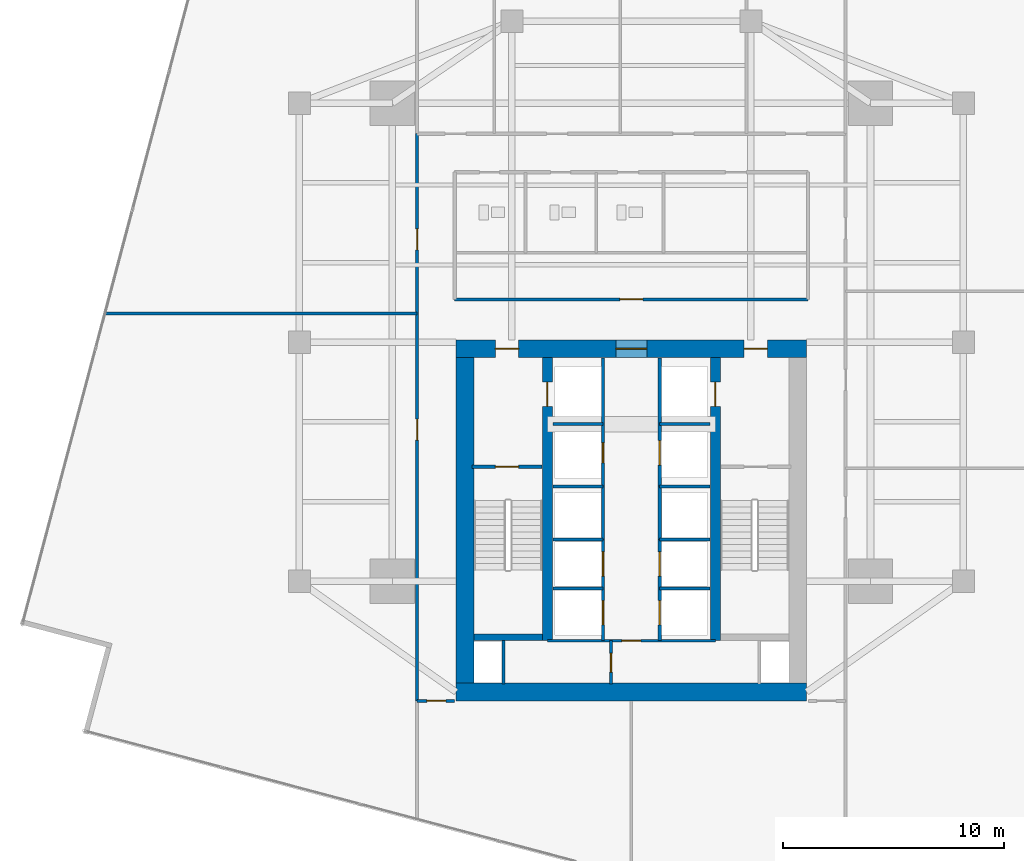
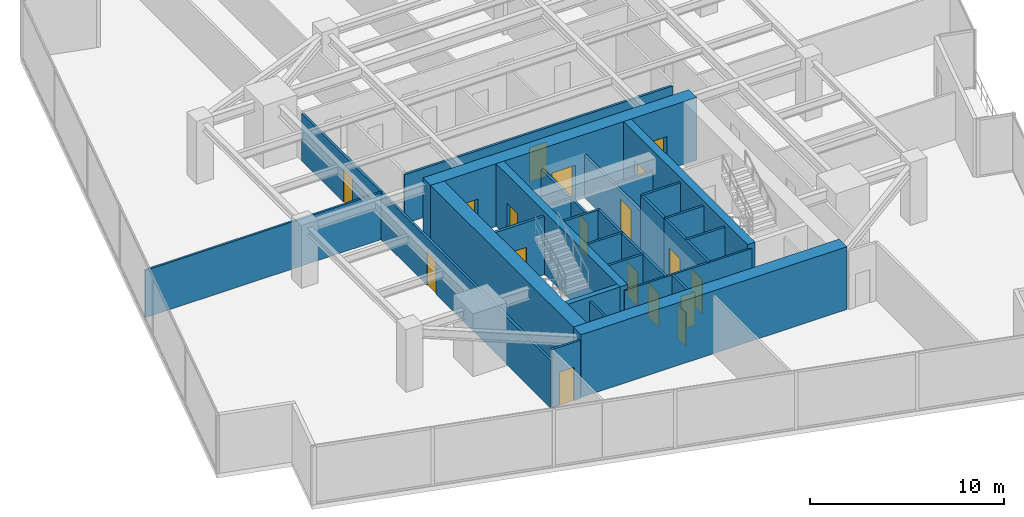
# One storey, part 23 of 27: 28 walls, 18 doors, 18 openings.
"""IFC4 building model written with IfcOpenShell, lengths in metres."""

import ifcopenshell
import ifcopenshell.guid

model = None  # the IFC model being written
_history = None  # IfcOwnerHistory: only IFC2X3 demands one
_inside = {}  # id of a spatial element -> (the spatial element, [elements in it])
_under = {}  # id of a project, library or spatial element -> (it, [spatial elements below it])
_declared = {}  # id of a project -> (the project, [libraries it declares])
_typed = {}  # id of a type object -> (the type object, [elements of that type])
_made_of = {}  # id of a material, layer set ... -> (it, [elements and type objects made of it])


def new_model(schema):
    """Start an empty IFC model of exactly this schema.

    Asked for "IFC4X3", IfcOpenShell would pick the latest addendum, in which some entities
    have other attributes; the version numbers below select the first issue.
    IFC2X3 requires an IfcOwnerHistory on every rooted entity: one is made here for all.
    """
    global model, _history
    if schema == "IFC4X3":
        model = ifcopenshell.file(schema_version=(4, 3, 0, 0))
    else:
        model = ifcopenshell.file(schema=schema)
    _inside.clear()
    _under.clear()
    _declared.clear()
    _typed.clear()
    _made_of.clear()
    _history = None
    if model.schema == "IFC2X3":
        org = make("IfcOrganization", Name="unknown")
        user = make(
            "IfcPersonAndOrganization",
            ThePerson=make("IfcPerson", FamilyName="unknown"),
            TheOrganization=org,
        )
        app = make(
            "IfcApplication",
            ApplicationDeveloper=org,
            Version="unknown",
            ApplicationFullName="unknown",
            ApplicationIdentifier="unknown",
        )
        _history = make(
            "IfcOwnerHistory",
            OwningUser=user,
            OwningApplication=app,
            ChangeAction="ADDED",
            CreationDate=0,
        )
    return model


def make(cls, **values):
    """One entity of the class cls with the attributes given. An attribute that is None is left unset."""
    return model.create_entity(
        cls, **{name: value for name, value in values.items() if value is not None}
    )


def rooted(cls, **values):
    """An entity with a GlobalId (a new one), such as an element, a storey or a relation."""
    return make(cls, GlobalId=ifcopenshell.guid.new(), OwnerHistory=_history, **values)


def si_unit(unit_type, name, prefix=None):
    """IfcSIUnit, for example si_unit("LENGTHUNIT", "METRE", prefix="MILLI")."""
    return make("IfcSIUnit", UnitType=unit_type, Prefix=prefix, Name=name)


def assignment(units):
    """IfcUnitAssignment: the units of a project."""
    return None if units is None else make("IfcUnitAssignment", Units=units)


def point(xyz):
    """IfcCartesianPoint."""
    return None if xyz is None else make("IfcCartesianPoint", Coordinates=xyz)


def direction(xyz):
    """IfcDirection."""
    return None if xyz is None else make("IfcDirection", DirectionRatios=xyz)


def frame(location, z_axis=None, x_axis=None):
    """IfcAxis2Placement3D, a coordinate frame: its origin and axes. An axis left out is left unset."""
    return make(
        "IfcAxis2Placement3D",
        Location=point(location),
        Axis=direction(z_axis),
        RefDirection=direction(x_axis),
    )


def frame_2d(location, x_axis=None):
    """IfcAxis2Placement2D, a coordinate frame in the plane: its origin and x axis."""
    return make(
        "IfcAxis2Placement2D", Location=point(location), RefDirection=direction(x_axis)
    )


def origin():
    """The frame at (0, 0, 0) with its axes left unset."""
    return frame((0.0, 0.0, 0.0))


def place(relative_to, where):
    """IfcLocalPlacement: puts the frame where relative to a parent placement (None: the world)."""
    return make(
        "IfcLocalPlacement", PlacementRelTo=relative_to, RelativePlacement=where
    )


def context(
    kind, dimensions, precision=None, world=None, true_north=None, identifier=None
):
    """IfcGeometricRepresentationContext, for example the 3D "Model" context."""
    return make(
        "IfcGeometricRepresentationContext",
        ContextIdentifier=identifier,
        ContextType=kind,
        CoordinateSpaceDimension=dimensions,
        Precision=precision,
        WorldCoordinateSystem=world,
        TrueNorth=true_north,
    )


def subcontext(parent, identifier, kind, view, scale=None):
    """IfcGeometricRepresentationSubContext, for example "Body" below "Model"."""
    return make(
        "IfcGeometricRepresentationSubContext",
        ContextIdentifier=identifier,
        ContextType=kind,
        ParentContext=parent,
        TargetScale=scale,
        TargetView=view,
    )


def project(units=None, contexts=None):
    """IfcProject with its units and contexts."""
    return rooted(
        "IfcProject",
        Name="project",
        RepresentationContexts=contexts,
        UnitsInContext=assignment(units),
    )


def spatial(cls, under=None, at=None, **own):
    """A site, building, storey or space (cls), placed at a placement, below another one or the project."""
    s = rooted(cls, ObjectPlacement=at, **own)
    if under is not None:
        _under.setdefault(under.id(), (under, []))[1].append(s)
    return s


def profile(cls, at=None, kind="AREA", **sizes):
    """A parametric profile (cls). Its sizes go by their IFC names, for example OverallWidth=200.0."""
    return make(cls, ProfileType=kind, Position=at, **sizes)


def rectangle(**sizes):
    """IfcRectangleProfileDef."""
    return profile("IfcRectangleProfileDef", **sizes)


def extrude(swept, where, along, depth):
    """IfcExtrudedAreaSolid: the profile swept, set in the frame where, extruded along a direction by depth."""
    return make(
        "IfcExtrudedAreaSolid",
        SweptArea=swept,
        Position=where,
        ExtrudedDirection=direction(along),
        Depth=depth,
    )


def shape(context_of_items, identifier, shape_type, items):
    """IfcShapeRepresentation: the items that make up one representation, for example the "Body"."""
    return make(
        "IfcShapeRepresentation",
        ContextOfItems=context_of_items,
        RepresentationIdentifier=identifier,
        RepresentationType=shape_type,
        Items=items,
    )


def material(Name=None, Category=None):
    """IfcMaterial."""
    return make("IfcMaterial", Name=Name, Category=Category)


def layer(
    of_material, thickness, ventilated=None, Name=None, Category=None, Priority=None
):
    """IfcMaterialLayer: one layer of a wall or slab, of a material (None: an air gap)."""
    return make(
        "IfcMaterialLayer",
        Material=of_material,
        LayerThickness=thickness,
        IsVentilated=ventilated,
        Name=Name,
        Category=Category,
        Priority=Priority,
    )


def layer_set(layers, Name=None):
    """IfcMaterialLayerSet."""
    return make("IfcMaterialLayerSet", MaterialLayers=layers, LayerSetName=Name)


def made_of(thing, what):
    """Note that an element or type object is made of a material, layer set ...; save() writes the relation."""
    if what is not None:
        _made_of.setdefault(what.id(), (what, []))[1].append(thing)
    return thing


def type_object(cls, material=None, **own):
    """A type object (cls), such as IfcWallType, which elements share."""
    return made_of(rooted(cls, **own), material)


def element(
    cls,
    number,
    at=None,
    inside=None,
    cuts=None,
    type_object=None,
    material=None,
    context=None,
    identifier="Body",
    shape_type=None,
    held_by="IfcProductDefinitionShape",
    body=None,
    shapes=None,
    **own,
):
    """One element of the class cls, such as IfcWall. Its Tag is "e" and its number.

    at: its placement. inside: the storey or other place that contains it. cuts: it is an
    opening in that element (IfcRelVoidsElement). A single representation is given by context,
    identifier, shape_type and body (its items); several are given by shapes. held_by: the class
    of the entity that holds the representations. save() writes the other relations.
    """
    e = rooted(cls, Tag="e%d" % number, ObjectPlacement=at, **own)
    if body is not None:
        shapes = [shape(context, identifier, shape_type, body)]
    if shapes is not None:
        e.Representation = make(held_by, Representations=shapes)
    if inside is not None:
        _inside.setdefault(inside.id(), (inside, []))[1].append(e)
    if cuts is not None:
        rooted(
            "IfcRelVoidsElement", RelatingBuildingElement=cuts, RelatedOpeningElement=e
        )
    if type_object is not None:
        _typed.setdefault(type_object.id(), (type_object, []))[1].append(e)
    return made_of(e, material)


def fill(opening, filler):
    """IfcRelFillsElement: the door or window that sits in an opening."""
    return rooted(
        "IfcRelFillsElement",
        RelatingOpeningElement=opening,
        RelatedBuildingElement=filler,
    )


def aggregate(whole, parts):
    """IfcRelAggregates: a whole, such as a stair, and the parts it consists of."""
    return rooted("IfcRelAggregates", RelatingObject=whole, RelatedObjects=parts)


def save(model, path):
    """Write the relations noted so far, then the file.

    IfcRelAggregates (storeys below a building ...), IfcRelContainedInSpatialStructure (elements
    in a storey), IfcRelDefinesByType, IfcRelAssociatesMaterial and IfcRelDeclares: one each for
    every whole, place, type object, material and project.
    """
    for whole, parts in _under.values():
        aggregate(whole, parts)
    for where, things in _inside.values():
        rooted(
            "IfcRelContainedInSpatialStructure",
            RelatedElements=things,
            RelatingStructure=where,
        )
    for kind, things in _typed.values():
        rooted("IfcRelDefinesByType", RelatedObjects=things, RelatingType=kind)
    for what, things in _made_of.values():
        rooted("IfcRelAssociatesMaterial", RelatedObjects=things, RelatingMaterial=what)
    for by, libraries in _declared.values():
        rooted("IfcRelDeclares", RelatingContext=by, RelatedDefinitions=libraries)
    model.write(path)


model = new_model("IFC4")

# Units and contexts
model_context = context("Model", 3, precision=1e-05, world=origin(), true_north=direction((0.0, 1.0)))
body_context = subcontext(model_context, "Body", "Model", "MODEL_VIEW")
ifc_project = project(units=[si_unit("LENGTHUNIT", "METRE"), si_unit("AREAUNIT", "SQUARE_METRE"), si_unit("VOLUMEUNIT", "CUBIC_METRE"), si_unit("PLANEANGLEUNIT", "RADIAN"), si_unit("MASSUNIT", "GRAM", prefix="KILO")], contexts=[model_context])

# Site, building, storey
site_placement = place(None, origin())
site = spatial("IfcSite", under=ifc_project, at=site_placement, CompositionType="ELEMENT")
building_placement = place(site_placement, origin())
building = spatial("IfcBuilding", under=site, at=building_placement, Name="Krantzveldt Concourse Tower", CompositionType="ELEMENT")
storey_placement = place(building_placement, frame((0.0, 0.0, 101.89990234375)))
storey = spatial("IfcBuildingStorey", under=building, at=storey_placement, Name="L24", CompositionType="ELEMENT", Elevation=101.89990234375)

# Wall, opening, door
ifc_material_1 = material(Name="Fire-rated gypsum plasterboard on steel stud", Category="steel")
ifc_layer_1 = layer(ifc_material_1, 0.1201171875, Name="Fire-rated gypsum plasterboard on steel stud", Category="steel")
ifc_layer_set_1 = layer_set([ifc_layer_1], Name="Fire-rated gypsum plasterboard on steel stud (WL-PART-120)")
wall_type_1 = type_object("IfcWallType", Name="WL-PART-120", PredefinedType="PARTITIONING", material=ifc_layer_set_1)
wall_1_placement = place(storey_placement, frame((32.2099609375, 13.219970703125, 0.0), z_axis=(0.0, 0.0, 1.0), x_axis=(1.0, 0.0, 0.0)))
wall_1 = element("IfcWall", 1, at=wall_1_placement, inside=storey, type_object=wall_type_1, Name="WP-L24-CS2H", PredefinedType="PARTITIONING", context=body_context, shape_type="SweptSolid", body=[
    extrude(rectangle(XDim=7.580078125, YDim=0.1201171875, at=frame_2d((3.7900390625, 0.0))), origin(), (0.0, 0.0, 1.0), 3.670166015625),
])
opening_1_placement = place(wall_1_placement, frame((3.364990234375, 0.0, 0.0)))
opening_1 = element("IfcOpeningElement", 2, at=opening_1_placement, cuts=wall_1, Name="Opening D-IN085", PredefinedType="OPENING", context=body_context, shape_type="SweptSolid", body=[
    extrude(rectangle(XDim=0.85009765625, YDim=2.10009765625, at=frame_2d((0.425048828125, 1.050048828125))), frame((0.0, 0.070068359375, 0.0), z_axis=(0.0, -1.0, 0.0), x_axis=(1.0, 0.0, 0.0)), (0.0, 0.0, 1.0), 0.14013671875),
])
ifc_material_2 = material(Name="Hardwood timber", Category="wood")
door_type_1 = type_object("IfcDoorType", Name="DR-INT-850", OperationType="SINGLE_SWING_LEFT", PredefinedType="DOOR", material=ifc_material_2)
door_1_placement = place(opening_1_placement, origin())
door_1 = element("IfcDoor", 3, at=door_1_placement, inside=storey, type_object=door_type_1, Name="DR-L24-LLBS", OperationType="SINGLE_SWING_RIGHT", OverallHeight=2.10009765625, OverallWidth=0.85009765625, PredefinedType="DOOR", context=body_context, shape_type="SweptSolid", body=[
    extrude(rectangle(XDim=0.85009765625, YDim=2.10009765625, at=frame_2d((0.425048828125, 1.050048828125))), frame((0.0, 0.02490234375, 0.0), z_axis=(0.0, -1.0, 0.0), x_axis=(1.0, 0.0, 0.0)), (0.0, 0.0, 1.0), 0.050048828125),
])
fill(opening_1, door_1)

wall_2_placement = place(storey_placement, frame((35.080078125, 11.25, 0.0), z_axis=(0.0, 0.0, 1.0), x_axis=(0.0, 1.0, 0.0)))
wall_2 = element("IfcWall", 4, at=wall_2_placement, inside=storey, type_object=wall_type_1, Name="WP-L24-CSA-V", PredefinedType="PARTITIONING", context=body_context, shape_type="SweptSolid", body=[
    extrude(rectangle(XDim=1.969970703125, YDim=0.1201171875, at=frame_2d((0.98486328125, 0.0))), origin(), (0.0, 0.0, 1.0), 3.670166015625),
])
opening_2_placement = place(wall_2_placement, frame((0.544921875, 0.0, 0.0)))
opening_2 = element("IfcOpeningElement", 5, at=opening_2_placement, cuts=wall_2, Name="Opening D-IN085", PredefinedType="OPENING", context=body_context, shape_type="SweptSolid", body=[
    extrude(rectangle(XDim=0.85009765625, YDim=2.10009765625, at=frame_2d((0.425048828125, 1.050048828125))), frame((0.0, 0.070068359375, 0.0), z_axis=(0.0, -1.0, 0.0), x_axis=(1.0, 0.0, 0.0)), (0.0, 0.0, 1.0), 0.14013671875),
])
door_2_placement = place(opening_2_placement, origin())
door_2 = element("IfcDoor", 6, at=door_2_placement, inside=storey, type_object=door_type_1, Name="DR-L24-CSA1", OperationType="SINGLE_SWING_LEFT", OverallHeight=2.10009765625, OverallWidth=0.85009765625, PredefinedType="DOOR", context=body_context, shape_type="SweptSolid", body=[
    extrude(rectangle(XDim=0.85009765625, YDim=2.10009765625, at=frame_2d((0.425048828125, 1.050048828125))), frame((0.0, 0.02490234375, 0.0), z_axis=(0.0, -1.0, 0.0), x_axis=(1.0, 0.0, 0.0)), (0.0, 0.0, 1.0), 0.050048828125),
])
fill(opening_2, door_2)

# Wall
wall_3_placement = place(storey_placement, frame((12.22705078125, 28.0, 0.0), z_axis=(0.0, 0.0, 1.0), x_axis=(1.0, 0.0, 0.0)))
element("IfcWall", 7, at=wall_3_placement, inside=storey, type_object=wall_type_1, Name="WP-L24-WD1", PredefinedType="PARTITIONING", context=body_context, shape_type="SweptSolid", body=[
    extrude(rectangle(XDim=14.093017578125, YDim=0.1201171875, at=frame_2d((7.04638671875, 0.0))), origin(), (0.0, 0.0, 1.0), 2.97021484375),
])

# Wall, opening, door
ifc_layer_2 = layer(ifc_material_1, 0.139892578125, Name="Fire-rated gypsum plasterboard on steel stud", Category="steel")
ifc_layer_set_2 = layer_set([ifc_layer_2], Name="Fire-rated gypsum plasterboard on steel stud (WL-PART-140)")
wall_type_2 = type_object("IfcWallType", Name="WL-PART-140", PredefinedType="PARTITIONING", material=ifc_layer_set_2)
wall_4_placement = place(storey_placement, frame((28.02001953125, 28.639892578125, 0.0), z_axis=(0.0, 0.0, 1.0), x_axis=(1.0, 0.0, 0.0)))
wall_4 = element("IfcWall", 8, at=wall_4_placement, inside=storey, type_object=wall_type_2, Name="WP-L24-ISLS", PredefinedType="PARTITIONING", context=body_context, shape_type="SweptSolid", body=[
    extrude(rectangle(XDim=15.9599609375, YDim=0.139892578125, at=frame_2d((7.97998046875, 0.0))), origin(), (0.0, 0.0, 1.0), 3.080078125),
])
opening_3_placement = place(wall_4_placement, frame((7.455078125, 0.0, 0.0)))
opening_3 = element("IfcOpeningElement", 9, at=opening_3_placement, cuts=wall_4, Name="Opening D-IN105", PredefinedType="OPENING", context=body_context, shape_type="SweptSolid", body=[
    extrude(rectangle(XDim=1.050048828125, YDim=2.14990234375, at=frame_2d((0.52490234375, 1.074951171875))), frame((0.0, 0.080078125, 0.0), z_axis=(0.0, -1.0, 0.0), x_axis=(1.0, 0.0, 0.0)), (0.0, 0.0, 1.0), 0.159912109375),
])
door_type_2 = type_object("IfcDoorType", Name="DR-INT-1050", OperationType="SINGLE_SWING_LEFT", PredefinedType="DOOR", material=ifc_material_2)
door_3_placement = place(opening_3_placement, origin())
door_3 = element("IfcDoor", 10, at=door_3_placement, inside=storey, type_object=door_type_2, Name="DR-L24-MIDB", OperationType="SINGLE_SWING_LEFT", OverallHeight=2.14990234375, OverallWidth=1.050048828125, PredefinedType="DOOR", context=body_context, shape_type="SweptSolid", body=[
    extrude(rectangle(XDim=1.050048828125, YDim=2.14990234375, at=frame_2d((0.52490234375, 1.074951171875))), frame((0.0, 0.02490234375, 0.0), z_axis=(0.0, -1.0, 0.0), x_axis=(1.0, 0.0, 0.0)), (0.0, 0.0, 1.0), 0.050048828125),
])
fill(opening_3, door_3)

# Wall, openings, doors
wall_5_placement = place(storey_placement, frame((26.320068359375, 10.5, 0.0), z_axis=(0.0, 0.0, 1.0), x_axis=(0.0, 1.0, 0.0)))
wall_5 = element("IfcWall", 11, at=wall_5_placement, inside=storey, type_object=wall_type_2, Name="WP-L24-CWEST", PredefinedType="PARTITIONING", context=body_context, shape_type="SweptSolid", body=[
    extrude(rectangle(XDim=25.6201171875, YDim=0.139892578125, at=frame_2d((12.81005859375, 0.0))), origin(), (0.0, 0.0, 1.0), 2.97021484375),
])
opening_4_placement = place(wall_5_placement, frame((11.77490234375, 0.0, 0.0)))
opening_4 = element("IfcOpeningElement", 12, at=opening_4_placement, cuts=wall_5, Name="Opening D-IN095", PredefinedType="OPENING", context=body_context, shape_type="SweptSolid", body=[
    extrude(rectangle(XDim=0.949951171875, YDim=2.10009765625, at=frame_2d((0.47509765625, 1.050048828125))), frame((0.0, 0.080078125, 0.0), z_axis=(0.0, -1.0, 0.0), x_axis=(1.0, 0.0, 0.0)), (0.0, 0.0, 1.0), 0.159912109375),
])
opening_5_placement = place(wall_5_placement, frame((20.375, 0.0, 0.0)))
opening_5 = element("IfcOpeningElement", 13, at=opening_5_placement, cuts=wall_5, Name="Opening D-IN095", PredefinedType="OPENING", context=body_context, shape_type="SweptSolid", body=[
    extrude(rectangle(XDim=0.949951171875, YDim=2.10009765625, at=frame_2d((0.47509765625, 1.050048828125))), frame((0.0, 0.080078125, 0.0), z_axis=(0.0, -1.0, 0.0), x_axis=(1.0, 0.0, 0.0)), (0.0, 0.0, 1.0), 0.159912109375),
])
door_type_3 = type_object("IfcDoorType", Name="DR-INT-950", OperationType="SINGLE_SWING_LEFT", PredefinedType="DOOR", material=ifc_material_2)
door_4_placement = place(opening_4_placement, origin())
door_4 = element("IfcDoor", 14, at=door_4_placement, inside=storey, type_object=door_type_3, Name="DR-L24-WR1", OperationType="SINGLE_SWING_LEFT", OverallHeight=2.10009765625, OverallWidth=0.949951171875, PredefinedType="DOOR", context=body_context, shape_type="SweptSolid", body=[
    extrude(rectangle(XDim=0.949951171875, YDim=2.10009765625, at=frame_2d((0.47509765625, 1.050048828125))), frame((0.0, 0.02490234375, 0.0), z_axis=(0.0, -1.0, 0.0), x_axis=(1.0, 0.0, 0.0)), (0.0, 0.0, 1.0), 0.050048828125),
])
fill(opening_4, door_4)
door_5_placement = place(opening_5_placement, origin())
door_5 = element("IfcDoor", 15, at=door_5_placement, inside=storey, type_object=door_type_3, Name="DR-L24-WR2", OperationType="SINGLE_SWING_LEFT", OverallHeight=2.10009765625, OverallWidth=0.949951171875, PredefinedType="DOOR", context=body_context, shape_type="SweptSolid", body=[
    extrude(rectangle(XDim=0.949951171875, YDim=2.10009765625, at=frame_2d((0.47509765625, 1.050048828125))), frame((0.0, 0.02490234375, 0.0), z_axis=(0.0, -1.0, 0.0), x_axis=(1.0, 0.0, 0.0)), (0.0, 0.0, 1.0), 0.050048828125),
])
fill(opening_5, door_5)

# Wall, opening, door
wall_6_placement = place(storey_placement, frame((26.320068359375, 10.5, 0.0), z_axis=(0.0, 0.0, 1.0), x_axis=(1.0, 0.0, 0.0)))
wall_6 = element("IfcWall", 16, at=wall_6_placement, inside=storey, type_object=wall_type_2, Name="WP-L24-CWBOT", PredefinedType="PARTITIONING", context=body_context, shape_type="SweptSolid", body=[
    extrude(rectangle(XDim=1.679931640625, YDim=0.139892578125, at=frame_2d((0.83984375, 0.0))), origin(), (0.0, 0.0, 1.0), 3.670166015625),
])
opening_6_placement = place(wall_6_placement, frame((0.445068359375, 0.0, 0.0)))
opening_6 = element("IfcOpeningElement", 17, at=opening_6_placement, cuts=wall_6, Name="Opening D-IN085", PredefinedType="OPENING", context=body_context, shape_type="SweptSolid", body=[
    extrude(rectangle(XDim=0.85009765625, YDim=2.10009765625, at=frame_2d((0.425048828125, 1.050048828125))), frame((0.0, 0.080078125, 0.0), z_axis=(0.0, -1.0, 0.0), x_axis=(1.0, 0.0, 0.0)), (0.0, 0.0, 1.0), 0.159912109375),
])
door_6_placement = place(opening_6_placement, origin())
door_6 = element("IfcDoor", 18, at=door_6_placement, inside=storey, type_object=door_type_1, Name="DR-L24-SR1", OperationType="SINGLE_SWING_LEFT", OverallHeight=2.10009765625, OverallWidth=0.85009765625, PredefinedType="DOOR", context=body_context, shape_type="SweptSolid", body=[
    extrude(rectangle(XDim=0.85009765625, YDim=2.10009765625, at=frame_2d((0.425048828125, 1.050048828125))), frame((0.0, 0.02490234375, 0.0), z_axis=(0.0, -1.0, 0.0), x_axis=(1.0, 0.0, 0.0)), (0.0, 0.0, 1.0), 0.050048828125),
])
fill(opening_6, door_6)

ifc_layer_3 = layer(ifc_material_1, 0.139892578125, Name="Fire-rated gypsum plasterboard on steel stud", Category="steel")
ifc_layer_set_3 = layer_set([ifc_layer_3], Name="Fire-rated gypsum plasterboard on steel stud (WL-PART-FR140)")
wall_type_3 = type_object("IfcWallType", Name="WL-PART-FR140", PredefinedType="PARTITIONING", material=ifc_layer_set_3)
wall_7_placement = place(storey_placement, frame((34.719970703125, 20.199951171875, 0.0), z_axis=(0.0, 0.0, 1.0), x_axis=(0.0, 1.0, 0.0)))
wall_7 = element("IfcWall", 19, at=wall_7_placement, inside=storey, type_object=wall_type_3, Name="WP-L24-SHNW", PredefinedType="PARTITIONING", context=body_context, shape_type="SweptSolid", body=[
    extrude(rectangle(XDim=5.780029296875, YDim=0.139892578125, at=frame_2d((2.89013671875, 0.0))), origin(), (0.0, 0.0, 1.0), 2.670166015625),
])
opening_7_placement = place(wall_7_placement, frame((1.050048828125, 0.0, 0.0)))
opening_7 = element("IfcOpeningElement", 20, at=opening_7_placement, cuts=wall_7, Name="Opening D-FD090", PredefinedType="OPENING", context=body_context, shape_type="SweptSolid", body=[
    extrude(rectangle(XDim=0.89990234375, YDim=2.10009765625, at=frame_2d((0.449951171875, 1.050048828125))), frame((0.0, 0.080078125, 0.0), z_axis=(0.0, -1.0, 0.0), x_axis=(1.0, 0.0, 0.0)), (0.0, 0.0, 1.0), 0.159912109375),
])
door_type_4 = type_object("IfcDoorType", Name="DR-FD60-900", OperationType="SINGLE_SWING_LEFT", PredefinedType="DOOR", material=ifc_material_2)
door_7_placement = place(opening_7_placement, origin())
door_7 = element("IfcDoor", 21, at=door_7_placement, inside=storey, type_object=door_type_4, Name="Electrical Riser Access Door L24", OperationType="SINGLE_SWING_LEFT", OverallHeight=2.10009765625, OverallWidth=0.89990234375, PredefinedType="DOOR", context=body_context, shape_type="SweptSolid", body=[
    extrude(rectangle(XDim=0.89990234375, YDim=2.10009765625, at=frame_2d((0.449951171875, 1.050048828125))), frame((0.0, 0.02490234375, 0.0), z_axis=(0.0, -1.0, 0.0), x_axis=(1.0, 0.0, 0.0)), (0.0, 0.0, 1.0), 0.050048828125),
])
fill(opening_7, door_7)

wall_8_placement = place(storey_placement, frame((37.280029296875, 20.199951171875, 0.0), z_axis=(0.0, 0.0, 1.0), x_axis=(0.0, 1.0, 0.0)))
wall_8 = element("IfcWall", 22, at=wall_8_placement, inside=storey, type_object=wall_type_3, Name="WP-L24-SHNE", PredefinedType="PARTITIONING", context=body_context, shape_type="SweptSolid", body=[
    extrude(rectangle(XDim=5.780029296875, YDim=0.139892578125, at=frame_2d((2.89013671875, 0.0))), origin(), (0.0, 0.0, 1.0), 2.670166015625),
])
opening_8_placement = place(wall_8_placement, frame((0.949951171875, 0.0, 0.0)))
opening_8 = element("IfcOpeningElement", 23, at=opening_8_placement, cuts=wall_8, Name="Opening LD", PredefinedType="OPENING", context=body_context, shape_type="SweptSolid", body=[
    extrude(rectangle(XDim=1.10009765625, YDim=2.14990234375, at=frame_2d((0.550048828125, 1.074951171875))), frame((0.0, 0.080078125, 0.0), z_axis=(0.0, -1.0, 0.0), x_axis=(1.0, 0.0, 0.0)), (0.0, 0.0, 1.0), 0.159912109375),
])
ifc_material_3 = material(Name="Stainless steel 316L", Category="steel")
door_type_5 = type_object("IfcDoorType", Name="DR-SLIDE-LD1100", OperationType="DOUBLE_DOOR_SLIDING", PredefinedType="DOOR", material=ifc_material_3)
door_8_placement = place(opening_8_placement, origin())
door_8 = element("IfcDoor", 24, at=door_8_placement, inside=storey, type_object=door_type_5, Name="LD-L24-GL1", OperationType="DOUBLE_DOOR_SLIDING", OverallHeight=2.14990234375, OverallWidth=1.10009765625, PredefinedType="DOOR", context=body_context, shape_type="SweptSolid", body=[
    extrude(rectangle(XDim=1.10009765625, YDim=2.14990234375, at=frame_2d((0.550048828125, 1.074951171875))), frame((0.0, 0.02490234375, 0.0), z_axis=(0.0, -1.0, 0.0), x_axis=(1.0, 0.0, 0.0)), (0.0, 0.0, 1.0), 0.050048828125),
])
fill(opening_8, door_8)

# Walls
for number, where, z_axis, x_axis, name in (
    (25, (32.449951171875, 23.0, 0.0), (0.0, 0.0, 1.0), (1.0, 0.0, 0.0), "WP-L24-RISH"),
    (26, (37.280029296875, 23.0, 0.0), (0.0, 0.0, 1.0), (1.0, 0.0, 0.0), "WP-L24-GLH"),
):
    element("IfcWall", number, at=place(storey_placement, frame(where, z_axis=z_axis, x_axis=x_axis)), inside=storey, type_object=wall_type_3, Name=name, PredefinedType="PARTITIONING", context=body_context, shape_type="SweptSolid", body=[
        extrude(rectangle(XDim=2.27001953125, YDim=0.139892578125, at=frame_2d((1.135009765625, 0.0))), origin(), (0.0, 0.0, 1.0), 2.670166015625),
    ])
for number, where, z_axis, x_axis, name in (
    (27, (34.719970703125, 17.780029296875, 0.0), (0.0, 0.0, 1.0), (0.0, 1.0, 0.0), "WP-L24-SHNW2"),
    (28, (37.280029296875, 17.780029296875, 0.0), (0.0, 0.0, 1.0), (0.0, 1.0, 0.0), "WP-L24-SHNE2"),
):
    element("IfcWall", number, at=place(storey_placement, frame(where, z_axis=z_axis, x_axis=x_axis)), inside=storey, type_object=wall_type_3, Name=name, PredefinedType="PARTITIONING", context=body_context, shape_type="SweptSolid", body=[
        extrude(rectangle(XDim=2.419921875, YDim=0.139892578125, at=frame_2d((1.2099609375, 0.0))), origin(), (0.0, 0.0, 1.0), 3.670166015625),
    ])
for number, where, z_axis, x_axis, name in (
    (29, (32.449951171875, 17.780029296875, 0.0), (0.0, 0.0, 1.0), (1.0, 0.0, 0.0), "WP-L24-DIVW2"),
    (30, (32.449951171875, 20.179931640625, 0.0), (0.0, 0.0, 1.0), (1.0, 0.0, 0.0), "WP-L24-DIVW3"),
    (31, (37.280029296875, 17.780029296875, 0.0), (0.0, 0.0, 1.0), (1.0, 0.0, 0.0), "WP-L24-DIVE2"),
    (32, (37.280029296875, 20.179931640625, 0.0), (0.0, 0.0, 1.0), (1.0, 0.0, 0.0), "WP-L24-DIVE3"),
):
    element("IfcWall", number, at=place(storey_placement, frame(where, z_axis=z_axis, x_axis=x_axis)), inside=storey, type_object=wall_type_3, Name=name, PredefinedType="PARTITIONING", context=body_context, shape_type="SweptSolid", body=[
        extrude(rectangle(XDim=2.27001953125, YDim=0.139892578125, at=frame_2d((1.135009765625, 0.0))), origin(), (0.0, 0.0, 1.0), 3.670166015625),
    ])

# Wall, openings, doors
wall_9_placement = place(storey_placement, frame((34.719970703125, 13.219970703125, 0.0), z_axis=(0.0, 0.0, 1.0), x_axis=(0.0, 1.0, 0.0)))
wall_9 = element("IfcWall", 33, at=wall_9_placement, inside=storey, type_object=wall_type_3, Name="WP-L24-SHSW", PredefinedType="PARTITIONING", context=body_context, shape_type="SweptSolid", body=[
    extrude(rectangle(XDim=4.56005859375, YDim=0.139892578125, at=frame_2d((2.280029296875, 0.0))), origin(), (0.0, 0.0, 1.0), 3.670166015625),
])
opening_9_placement = place(wall_9_placement, frame((0.7099609375, 0.0, 0.0)))
opening_9 = element("IfcOpeningElement", 34, at=opening_9_placement, cuts=wall_9, Name="Opening LD", PredefinedType="OPENING", context=body_context, shape_type="SweptSolid", body=[
    extrude(rectangle(XDim=1.10009765625, YDim=2.14990234375, at=frame_2d((0.550048828125, 1.074951171875))), frame((0.0, 0.080078125, 0.0), z_axis=(0.0, -1.0, 0.0), x_axis=(1.0, 0.0, 0.0)), (0.0, 0.0, 1.0), 0.159912109375),
])
opening_10_placement = place(wall_9_placement, frame((2.909912109375, 0.0, 0.0)))
opening_10 = element("IfcOpeningElement", 35, at=opening_10_placement, cuts=wall_9, Name="Opening LD", PredefinedType="OPENING", context=body_context, shape_type="SweptSolid", body=[
    extrude(rectangle(XDim=1.10009765625, YDim=2.14990234375, at=frame_2d((0.550048828125, 1.074951171875))), frame((0.0, 0.080078125, 0.0), z_axis=(0.0, -1.0, 0.0), x_axis=(1.0, 0.0, 0.0)), (0.0, 0.0, 1.0), 0.159912109375),
])
door_9_placement = place(opening_9_placement, origin())
door_9 = element("IfcDoor", 36, at=door_9_placement, inside=storey, type_object=door_type_5, Name="LD-L24-PL1", OperationType="DOUBLE_DOOR_SLIDING", OverallHeight=2.14990234375, OverallWidth=1.10009765625, PredefinedType="DOOR", context=body_context, shape_type="SweptSolid", body=[
    extrude(rectangle(XDim=1.10009765625, YDim=2.14990234375, at=frame_2d((0.550048828125, 1.074951171875))), frame((0.0, 0.02490234375, 0.0), z_axis=(0.0, -1.0, 0.0), x_axis=(1.0, 0.0, 0.0)), (0.0, 0.0, 1.0), 0.050048828125),
])
fill(opening_9, door_9)
door_10_placement = place(opening_10_placement, origin())
door_10 = element("IfcDoor", 37, at=door_10_placement, inside=storey, type_object=door_type_5, Name="LD-L24-PL2", OperationType="DOUBLE_DOOR_SLIDING", OverallHeight=2.14990234375, OverallWidth=1.10009765625, PredefinedType="DOOR", context=body_context, shape_type="SweptSolid", body=[
    extrude(rectangle(XDim=1.10009765625, YDim=2.14990234375, at=frame_2d((0.550048828125, 1.074951171875))), frame((0.0, 0.02490234375, 0.0), z_axis=(0.0, -1.0, 0.0), x_axis=(1.0, 0.0, 0.0)), (0.0, 0.0, 1.0), 0.050048828125),
])
fill(opening_10, door_10)

# Wall
wall_10_placement = place(storey_placement, frame((32.449951171875, 15.580078125, 0.0), z_axis=(0.0, 0.0, 1.0), x_axis=(1.0, 0.0, 0.0)))
element("IfcWall", 38, at=wall_10_placement, inside=storey, type_object=wall_type_3, Name="WP-L24-DIVW1", PredefinedType="PARTITIONING", context=body_context, shape_type="SweptSolid", body=[
    extrude(rectangle(XDim=2.27001953125, YDim=0.139892578125, at=frame_2d((1.135009765625, 0.0))), origin(), (0.0, 0.0, 1.0), 3.670166015625),
])

# Wall, openings, doors
wall_11_placement = place(storey_placement, frame((37.280029296875, 13.219970703125, 0.0), z_axis=(0.0, 0.0, 1.0), x_axis=(0.0, 1.0, 0.0)))
wall_11 = element("IfcWall", 39, at=wall_11_placement, inside=storey, type_object=wall_type_3, Name="WP-L24-SHSE", PredefinedType="PARTITIONING", context=body_context, shape_type="SweptSolid", body=[
    extrude(rectangle(XDim=4.56005859375, YDim=0.139892578125, at=frame_2d((2.280029296875, 0.0))), origin(), (0.0, 0.0, 1.0), 3.670166015625),
])
opening_11_placement = place(wall_11_placement, frame((0.7099609375, 0.0, 0.0)))
opening_11 = element("IfcOpeningElement", 40, at=opening_11_placement, cuts=wall_11, Name="Opening LD", PredefinedType="OPENING", context=body_context, shape_type="SweptSolid", body=[
    extrude(rectangle(XDim=1.10009765625, YDim=2.14990234375, at=frame_2d((0.550048828125, 1.074951171875))), frame((0.0, 0.080078125, 0.0), z_axis=(0.0, -1.0, 0.0), x_axis=(1.0, 0.0, 0.0)), (0.0, 0.0, 1.0), 0.159912109375),
])
opening_12_placement = place(wall_11_placement, frame((2.909912109375, 0.0, 0.0)))
opening_12 = element("IfcOpeningElement", 41, at=opening_12_placement, cuts=wall_11, Name="Opening LD", PredefinedType="OPENING", context=body_context, shape_type="SweptSolid", body=[
    extrude(rectangle(XDim=1.10009765625, YDim=2.14990234375, at=frame_2d((0.550048828125, 1.074951171875))), frame((0.0, 0.080078125, 0.0), z_axis=(0.0, -1.0, 0.0), x_axis=(1.0, 0.0, 0.0)), (0.0, 0.0, 1.0), 0.159912109375),
])
door_11_placement = place(opening_11_placement, origin())
door_11 = element("IfcDoor", 42, at=door_11_placement, inside=storey, type_object=door_type_5, Name="LD-L24-PM1", OperationType="DOUBLE_DOOR_SLIDING", OverallHeight=2.14990234375, OverallWidth=1.10009765625, PredefinedType="DOOR", context=body_context, shape_type="SweptSolid", body=[
    extrude(rectangle(XDim=1.10009765625, YDim=2.14990234375, at=frame_2d((0.550048828125, 1.074951171875))), frame((0.0, 0.02490234375, 0.0), z_axis=(0.0, -1.0, 0.0), x_axis=(1.0, 0.0, 0.0)), (0.0, 0.0, 1.0), 0.050048828125),
])
fill(opening_11, door_11)
door_12_placement = place(opening_12_placement, origin())
door_12 = element("IfcDoor", 43, at=door_12_placement, inside=storey, type_object=door_type_5, Name="LD-L24-PM2", OperationType="DOUBLE_DOOR_SLIDING", OverallHeight=2.14990234375, OverallWidth=1.10009765625, PredefinedType="DOOR", context=body_context, shape_type="SweptSolid", body=[
    extrude(rectangle(XDim=1.10009765625, YDim=2.14990234375, at=frame_2d((0.550048828125, 1.074951171875))), frame((0.0, 0.02490234375, 0.0), z_axis=(0.0, -1.0, 0.0), x_axis=(1.0, 0.0, 0.0)), (0.0, 0.0, 1.0), 0.050048828125),
])
fill(opening_12, door_12)

# Walls
wall_12_placement = place(storey_placement, frame((37.280029296875, 15.580078125, 0.0), z_axis=(0.0, 0.0, 1.0), x_axis=(1.0, 0.0, 0.0)))
element("IfcWall", 44, at=wall_12_placement, inside=storey, type_object=wall_type_3, Name="WP-L24-DIVE1", PredefinedType="PARTITIONING", context=body_context, shape_type="SweptSolid", body=[
    extrude(rectangle(XDim=2.27001953125, YDim=0.139892578125, at=frame_2d((1.135009765625, 0.0))), origin(), (0.0, 0.0, 1.0), 3.670166015625),
])
wall_13_placement = place(storey_placement, frame((30.219970703125, 11.25, 0.0), z_axis=(0.0, 0.0, 1.0), x_axis=(0.0, 1.0, 0.0)))
element("IfcWall", 45, at=wall_13_placement, inside=storey, type_object=wall_type_3, Name="WP-L24-RSW", PredefinedType="PARTITIONING", context=body_context, shape_type="SweptSolid", body=[
    extrude(rectangle(XDim=1.969970703125, YDim=0.1201171875, at=frame_2d((0.98486328125, 0.0))), origin(), (0.0, 0.0, 1.0), 3.670166015625),
])

# Wall, opening, door
ifc_layer_4 = layer(ifc_material_1, 0.159912109375, Name="Fire-rated gypsum plasterboard on steel stud", Category="steel")
ifc_layer_set_4 = layer_set([ifc_layer_4], Name="Fire-rated gypsum plasterboard on steel stud (WL-PART-FR160)")
wall_type_4 = type_object("IfcWallType", Name="WL-PART-FR160", PredefinedType="PARTITIONING", material=ifc_layer_set_4)
wall_14_placement = place(storey_placement, frame((28.800048828125, 21.080078125, 0.0), z_axis=(0.0, 0.0, 1.0), x_axis=(1.0, 0.0, 0.0)))
wall_14 = element("IfcWall", 46, at=wall_14_placement, inside=storey, type_object=wall_type_4, Name="WP-L24-ST1", PredefinedType="PARTITIONING", context=body_context, shape_type="SweptSolid", body=[
    extrude(rectangle(XDim=3.159912109375, YDim=0.159912109375, at=frame_2d((1.580078125, 0.0))), origin(), (0.0, 0.0, 1.0), 3.670166015625),
])
opening_13_placement = place(wall_14_placement, frame((1.054931640625, 0.0, 0.0)))
opening_13 = element("IfcOpeningElement", 47, at=opening_13_placement, cuts=wall_14, Name="Opening D-FD105", PredefinedType="OPENING", context=body_context, shape_type="SweptSolid", body=[
    extrude(rectangle(XDim=1.050048828125, YDim=2.10009765625, at=frame_2d((0.52490234375, 1.050048828125))), frame((0.0, 0.08984375, 0.0), z_axis=(0.0, -1.0, 0.0), x_axis=(1.0, 0.0, 0.0)), (0.0, 0.0, 1.0), 0.179931640625),
])
ifc_material_4 = material(Name="Galvanised steel", Category="steel")
door_type_6 = type_object("IfcDoorType", Name="DR-FD120-1050", OperationType="SINGLE_SWING_LEFT", PredefinedType="DOOR", material=ifc_material_4)
door_13_placement = place(opening_13_placement, origin())
door_13 = element("IfcDoor", 48, at=door_13_placement, inside=storey, type_object=door_type_6, Name="DR-L24-ST1", OperationType="SINGLE_SWING_RIGHT", OverallHeight=2.10009765625, OverallWidth=1.050048828125, PredefinedType="DOOR", context=body_context, shape_type="SweptSolid", body=[
    extrude(rectangle(XDim=1.050048828125, YDim=2.10009765625, at=frame_2d((0.52490234375, 1.050048828125))), frame((0.0, 0.02490234375, 0.0), z_axis=(0.0, -1.0, 0.0), x_axis=(1.0, 0.0, 0.0)), (0.0, 0.0, 1.0), 0.050048828125),
])
fill(opening_13, door_13)

# Wall
ifc_material_5 = material(Name="Concrete C50/60", Category="concrete")
ifc_layer_5 = layer(ifc_material_5, 0.300048828125, Name="Concrete C50/60", Category="concrete")
ifc_layer_set_5 = layer_set([ifc_layer_5], Name="Concrete C50/60 (WL-SHEAR-300)")
wall_type_5 = type_object("IfcWallType", Name="WL-SHEAR-300", PredefinedType="SHEAR", material=ifc_layer_set_5)
wall_15_placement = place(storey_placement, frame((28.8798828125, 13.3701171875, 0.0), z_axis=(0.0, 0.0, 1.0), x_axis=(1.0, 0.0, 0.0)))
element("IfcWall", 49, at=wall_15_placement, inside=storey, type_object=wall_type_5, Name="CW-L24-ST1S", PredefinedType="SHEAR", context=body_context, shape_type="SweptSolid", body=[
    extrude(rectangle(XDim=3.10009765625, YDim=0.300048828125, at=frame_2d((1.550048828125, 0.0))), origin(), (0.0, 0.0, 1.0), 3.9501953125),
])

# Wall, opening, door
ifc_layer_6 = layer(ifc_material_5, 0.449951171875, Name="Concrete C50/60", Category="concrete")
ifc_layer_set_6 = layer_set([ifc_layer_6], Name="Concrete C50/60 (WL-SHEAR-450)")
wall_type_6 = type_object("IfcWallType", Name="WL-SHEAR-450", PredefinedType="SHEAR", material=ifc_layer_set_6)
wall_16_placement = place(storey_placement, frame((32.205078125, 13.219970703125, 0.0), z_axis=(0.0, 0.0, 1.0), x_axis=(0.0, 1.0, 0.0)))
wall_16 = element("IfcWall", 50, at=wall_16_placement, inside=storey, type_object=wall_type_6, Name="CW-L24-IW", PredefinedType="SHEAR", context=body_context, shape_type="SweptSolid", body=[
    extrude(rectangle(XDim=12.780029296875, YDim=0.449951171875, at=frame_2d((6.39013671875, 0.0))), origin(), (0.0, 0.0, 1.0), 3.9501953125),
])
opening_14_placement = place(wall_16_placement, frame((10.580078125, 0.0, 0.0)))
opening_14 = element("IfcOpeningElement", 51, at=opening_14_placement, cuts=wall_16, Name="Opening LD", PredefinedType="OPENING", context=body_context, shape_type="SweptSolid", body=[
    extrude(rectangle(XDim=1.10009765625, YDim=2.14990234375, at=frame_2d((0.550048828125, 1.074951171875))), frame((0.0, 0.23486328125, 0.0), z_axis=(0.0, -1.0, 0.0), x_axis=(1.0, 0.0, 0.0)), (0.0, 0.0, 1.0), 0.469970703125),
])
door_14_placement = place(opening_14_placement, origin())
door_14 = element("IfcDoor", 52, at=door_14_placement, inside=storey, type_object=door_type_5, Name="LD-L24-FL1", OperationType="DOUBLE_DOOR_SLIDING", OverallHeight=2.14990234375, OverallWidth=1.10009765625, PredefinedType="DOOR", context=body_context, shape_type="SweptSolid", body=[
    extrude(rectangle(XDim=1.10009765625, YDim=2.14990234375, at=frame_2d((0.550048828125, 1.074951171875))), frame((0.0, 0.02490234375, 0.0), z_axis=(0.0, -1.0, 0.0), x_axis=(1.0, 0.0, 0.0)), (0.0, 0.0, 1.0), 0.050048828125),
])
fill(opening_14, door_14)

wall_17_placement = place(storey_placement, frame((39.794921875, 13.219970703125, 0.0), z_axis=(0.0, 0.0, 1.0), x_axis=(0.0, 1.0, 0.0)))
wall_17 = element("IfcWall", 53, at=wall_17_placement, inside=storey, type_object=wall_type_6, Name="CW-L24-IE", PredefinedType="SHEAR", context=body_context, shape_type="SweptSolid", body=[
    extrude(rectangle(XDim=12.780029296875, YDim=0.449951171875, at=frame_2d((6.39013671875, 0.0))), origin(), (0.0, 0.0, 1.0), 3.9501953125),
])
opening_15_placement = place(wall_17_placement, frame((10.580078125, 0.0, 0.0)))
opening_15 = element("IfcOpeningElement", 54, at=opening_15_placement, cuts=wall_17, Name="Opening LD", PredefinedType="OPENING", context=body_context, shape_type="SweptSolid", body=[
    extrude(rectangle(XDim=1.10009765625, YDim=2.14990234375, at=frame_2d((0.550048828125, 1.074951171875))), frame((0.0, 0.23486328125, 0.0), z_axis=(0.0, -1.0, 0.0), x_axis=(1.0, 0.0, 0.0)), (0.0, 0.0, 1.0), 0.469970703125),
])
door_15_placement = place(opening_15_placement, origin())
door_15 = element("IfcDoor", 55, at=door_15_placement, inside=storey, type_object=door_type_5, Name="LD-L24-FL2", OperationType="DOUBLE_DOOR_SLIDING", OverallHeight=2.14990234375, OverallWidth=1.10009765625, PredefinedType="DOOR", context=body_context, shape_type="SweptSolid", body=[
    extrude(rectangle(XDim=1.10009765625, YDim=2.14990234375, at=frame_2d((0.550048828125, 1.074951171875))), frame((0.0, 0.02490234375, 0.0), z_axis=(0.0, -1.0, 0.0), x_axis=(1.0, 0.0, 0.0)), (0.0, 0.0, 1.0), 0.050048828125),
])
fill(opening_15, door_15)

# Wall
ifc_material_6 = material(Name="Concrete C60/75", Category="concrete")
ifc_layer_7 = layer(ifc_material_6, 0.800048828125, Name="Concrete C60/75", Category="concrete")
ifc_layer_set_7 = layer_set([ifc_layer_7], Name="Concrete C60/75 (WL-SHEAR-800)")
wall_type_7 = type_object("IfcWallType", Name="WL-SHEAR-800", PredefinedType="SHEAR", material=ifc_layer_set_7)
wall_18_placement = place(storey_placement, frame((28.080078125, 10.89990234375, 0.0), z_axis=(0.0, 0.0, 1.0), x_axis=(1.0, 0.0, 0.0)))
element("IfcWall", 56, at=wall_18_placement, inside=storey, type_object=wall_type_7, Name="CW-L24-S", PredefinedType="SHEAR", context=body_context, shape_type="SweptSolid", body=[
    extrude(rectangle(XDim=15.83984375, YDim=0.800048828125, at=frame_2d((7.919921875, 0.0))), origin(), (0.0, 0.0, 1.0), 3.9501953125),
])

# Wall, openings, doors
wall_19_placement = place(storey_placement, frame((28.080078125, 26.39990234375, 0.0), z_axis=(0.0, 0.0, 1.0), x_axis=(1.0, 0.0, 0.0)))
wall_19 = element("IfcWall", 57, at=wall_19_placement, inside=storey, type_object=wall_type_7, Name="CW-L24-N", PredefinedType="SHEAR", context=body_context, shape_type="SweptSolid", body=[
    extrude(rectangle(XDim=15.83984375, YDim=0.800048828125, at=frame_2d((7.919921875, 0.0))), origin(), (0.0, 0.0, 1.0), 3.9501953125),
])
opening_16_placement = place(wall_19_placement, frame((7.219970703125, 0.0, 0.0)))
opening_16 = element("IfcOpeningElement", 58, at=opening_16_placement, cuts=wall_19, Name="Opening D-DB140", PredefinedType="OPENING", context=body_context, shape_type="SweptSolid", body=[
    extrude(rectangle(XDim=1.39990234375, YDim=2.199951171875, at=frame_2d((0.699951171875, 1.10009765625))), frame((0.0, 0.41015625, 0.0), z_axis=(0.0, -1.0, 0.0), x_axis=(1.0, 0.0, 0.0)), (0.0, 0.0, 1.0), 0.820068359375),
])
opening_17_placement = place(wall_19_placement, frame((1.77490234375, 0.0, 0.0)))
opening_17 = element("IfcOpeningElement", 59, at=opening_17_placement, cuts=wall_19, Name="Opening D-FD105", PredefinedType="OPENING", context=body_context, shape_type="SweptSolid", body=[
    extrude(rectangle(XDim=1.050048828125, YDim=2.10009765625, at=frame_2d((0.52490234375, 1.050048828125))), frame((0.0, 0.41015625, 0.0), z_axis=(0.0, -1.0, 0.0), x_axis=(1.0, 0.0, 0.0)), (0.0, 0.0, 1.0), 0.820068359375),
])
opening_18_placement = place(wall_19_placement, frame((13.014892578125, 0.0, 0.0)))
opening_18 = element("IfcOpeningElement", 60, at=opening_18_placement, cuts=wall_19, Name="Opening D-FD105", PredefinedType="OPENING", context=body_context, shape_type="SweptSolid", body=[
    extrude(rectangle(XDim=1.050048828125, YDim=2.10009765625, at=frame_2d((0.52490234375, 1.050048828125))), frame((0.0, 0.41015625, 0.0), z_axis=(0.0, -1.0, 0.0), x_axis=(1.0, 0.0, 0.0)), (0.0, 0.0, 1.0), 0.820068359375),
])
ifc_material_7 = material(Name="Anodised aluminium 6063-T6", Category="aluminium")
door_type_7 = type_object("IfcDoorType", Name="DR-DBL-1400", OperationType="DOUBLE_DOOR_SINGLE_SWING", PredefinedType="DOOR", material=ifc_material_7)
door_16_placement = place(opening_16_placement, origin())
door_16 = element("IfcDoor", 61, at=door_16_placement, inside=storey, type_object=door_type_7, Name="DR-L24-LLB", OperationType="DOUBLE_DOOR_SINGLE_SWING", OverallHeight=2.199951171875, OverallWidth=1.39990234375, PredefinedType="DOOR", context=body_context, shape_type="SweptSolid", body=[
    extrude(rectangle(XDim=1.39990234375, YDim=2.199951171875, at=frame_2d((0.699951171875, 1.10009765625))), frame((0.0, 0.02490234375, 0.0), z_axis=(0.0, -1.0, 0.0), x_axis=(1.0, 0.0, 0.0)), (0.0, 0.0, 1.0), 0.050048828125),
])
fill(opening_16, door_16)
door_17_placement = place(opening_17_placement, origin())
door_17 = element("IfcDoor", 62, at=door_17_placement, inside=storey, type_object=door_type_6, Name="DR-L24-FFL1", OperationType="SINGLE_SWING_LEFT", OverallHeight=2.10009765625, OverallWidth=1.050048828125, PredefinedType="DOOR", context=body_context, shape_type="SweptSolid", body=[
    extrude(rectangle(XDim=1.050048828125, YDim=2.10009765625, at=frame_2d((0.52490234375, 1.050048828125))), frame((0.0, 0.02490234375, 0.0), z_axis=(0.0, -1.0, 0.0), x_axis=(1.0, 0.0, 0.0)), (0.0, 0.0, 1.0), 0.050048828125),
])
fill(opening_17, door_17)
door_18_placement = place(opening_18_placement, origin())
door_18 = element("IfcDoor", 63, at=door_18_placement, inside=storey, type_object=door_type_6, Name="DR-L24-FFL2", OperationType="SINGLE_SWING_RIGHT", OverallHeight=2.10009765625, OverallWidth=1.050048828125, PredefinedType="DOOR", context=body_context, shape_type="SweptSolid", body=[
    extrude(rectangle(XDim=1.050048828125, YDim=2.10009765625, at=frame_2d((0.52490234375, 1.050048828125))), frame((0.0, 0.02490234375, 0.0), z_axis=(0.0, -1.0, 0.0), x_axis=(1.0, 0.0, 0.0)), (0.0, 0.0, 1.0), 0.050048828125),
])
fill(opening_18, door_18)

# Wall
wall_20_placement = place(storey_placement, frame((28.47998046875, 11.300048828125, 0.0), z_axis=(0.0, 0.0, 1.0), x_axis=(0.0, 1.0, 0.0)))
element("IfcWall", 64, at=wall_20_placement, inside=storey, type_object=wall_type_7, Name="CW-L24-W", PredefinedType="SHEAR", context=body_context, shape_type="SweptSolid", body=[
    extrude(rectangle(XDim=14.699951171875, YDim=0.800048828125, at=frame_2d((7.35009765625, 0.0))), origin(), (0.0, 0.0, 1.0), 3.9501953125),
])

save(model, "model.ifc")
